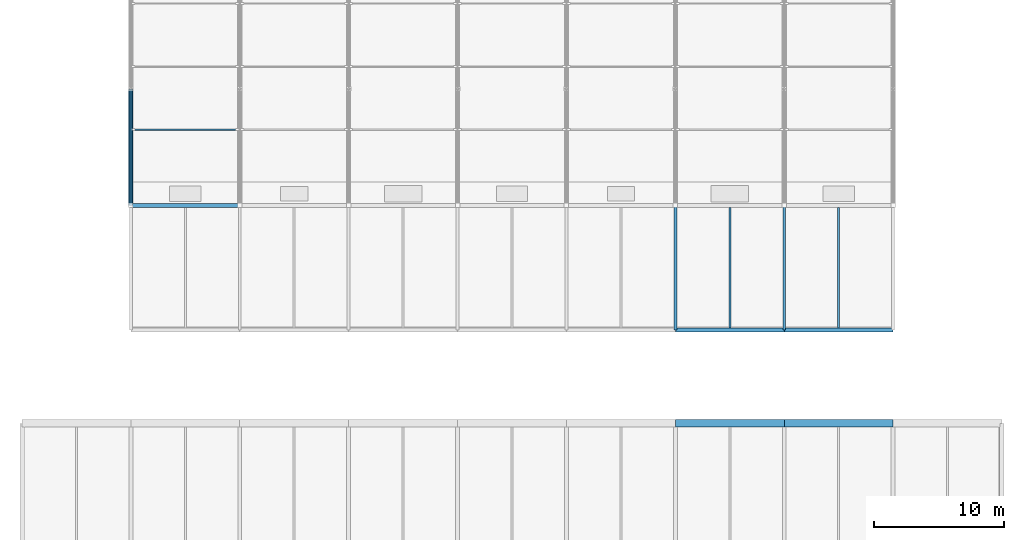
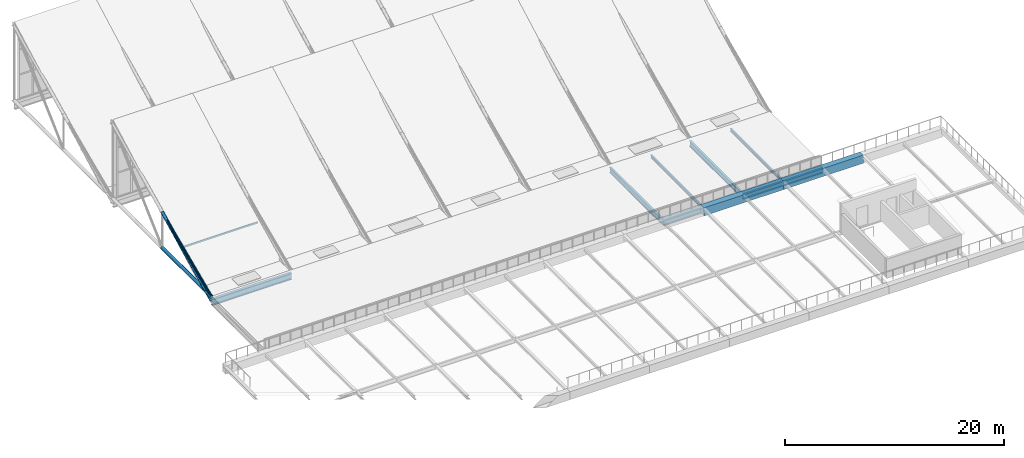
# One storey, part 2 of 38: 9 beams, 4 members.
"""IFC4 building model written with IfcOpenShell, lengths in metres."""

from ifc_helpers import new_model, si_unit, direction, frame, origin, origin_2d, place, context, subcontext, project, spatial, rectangle, hollow_rectangle, hollow_circle, i_section, extrude, material, material_profile, profile_set, type_object, element, save


model = new_model("IFC4")

# Units and contexts
model_context = context("Model", 3, precision=1e-05, world=origin(), true_north=direction((0.0, 1.0)))
body_context = subcontext(model_context, "Body", "Model", "MODEL_VIEW")
ifc_project = project(units=[si_unit("LENGTHUNIT", "METRE"), si_unit("AREAUNIT", "SQUARE_METRE"), si_unit("VOLUMEUNIT", "CUBIC_METRE"), si_unit("PLANEANGLEUNIT", "RADIAN"), si_unit("MASSUNIT", "GRAM", prefix="KILO")], contexts=[model_context])

# Site, building, storey
site_placement = place(None, origin())
site = spatial("IfcSite", under=ifc_project, at=site_placement, CompositionType="ELEMENT")
building_placement = place(site_placement, origin())
building = spatial("IfcBuilding", under=site, at=building_placement, Name="Veltarok Museum of Natural Sciences", CompositionType="ELEMENT")
storey_placement = place(building_placement, frame((0.0, 0.0, 31.199951171875)))
storey = spatial("IfcBuildingStorey", under=building, at=storey_placement, Name="RF", CompositionType="ELEMENT", Elevation=31.199951171875)

# Beams
ifc_material_1 = material(Name="Concrete C40/50", Category="concrete")
ifc_material_profile_1 = material_profile(ifc_material_1, rectangle(XDim=0.60009765625, YDim=0.89990234375, at=origin_2d()), Name="RC 600x900")
ifc_profile_set_1 = profile_set([ifc_material_profile_1], Name="Concrete C40/50")
beam_type_1 = type_object("IfcBeamType", Name="Exposed Cabinet Perimeter Spandrel RC 600x900", PredefinedType="SPANDREL", material=ifc_profile_set_1)
beam_1_placement = place(storey_placement, frame((82.0, 19.199951171875, -0.7099609375), z_axis=(1.0, 0.0, 0.0), x_axis=(0.0, 1.0, 0.0)))
element("IfcBeam", 1, at=beam_1_placement, inside=storey, type_object=beam_type_1, Name="Beam BM-SP01 RF 10-11/C", PredefinedType="SPANDREL", context=body_context, shape_type="SweptSolid", body=[
    extrude(rectangle(XDim=0.60009765625, YDim=0.89990234375, at=origin_2d()), origin(), (0.0, 0.0, 1.0), 8.39990234375),
])
beam_2_placement = place(storey_placement, frame((90.39990234375, 19.199951171875, -0.7099609375), z_axis=(1.0, 0.0, 0.0), x_axis=(0.0, 1.0, 0.0)))
element("IfcBeam", 2, at=beam_2_placement, inside=storey, type_object=beam_type_1, Name="Beam BM-SP01 RF 11-12/C", PredefinedType="SPANDREL", context=body_context, shape_type="SweptSolid", body=[
    extrude(rectangle(XDim=0.60009765625, YDim=0.89990234375, at=origin_2d()), origin(), (0.0, 0.0, 1.0), 8.400146484375),
])

# Member
ifc_material_2 = material(Name="Steel S355J2", Category="steel")
ifc_material_profile_2 = material_profile(ifc_material_2, hollow_rectangle(XDim=0.10009765625, YDim=0.179931640625, WallThickness=0.008056640625, at=origin_2d()), Name="RHS 180x100x8")
ifc_profile_set_2 = profile_set([ifc_material_profile_2], Name="Steel S355J2")
member_type_1 = type_object("IfcMemberType", Name="Heavy Valley Roof Purlin RHS 180x100x8", PredefinedType="PURLIN", material=ifc_profile_set_2)
member_1_placement = place(storey_placement, frame((40.179931640625, 41.85009765625, -3.950439453125), z_axis=(1.0, 0.0, 0.0), x_axis=(0.0, 1.0, 0.0)))
element("IfcMember", 3, at=member_1_placement, inside=storey, type_object=member_type_1, Name="Sawtooth Purlin 5-6 M1", PredefinedType="PURLIN", context=body_context, shape_type="SweptSolid", body=[
    extrude(hollow_rectangle(XDim=0.10009765625, YDim=0.179931640625, WallThickness=0.008056640625, at=origin_2d()), origin(), (0.0, 0.0, 1.0), 8.0400390625),
])

# Beams
ifc_material_profile_3 = material_profile(ifc_material_2, i_section(OverallWidth=0.300048828125, OverallDepth=0.699951171875, WebThickness=0.01708984375, FlangeThickness=0.031982421875, FilletRadius=0.027099609375, at=origin_2d()), Name="HEB 700")
ifc_profile_set_3 = profile_set([ifc_material_profile_3], Name="Steel S355J2")
beam_type_2 = type_object("IfcBeamType", Name="Long-Span Hall Girder HEB 700", PredefinedType="BEAM", material=ifc_profile_set_3)
beam_3_placement = place(storey_placement, frame((82.0, 26.39990234375, -6.389892578125), z_axis=(1.0, 0.0, 0.0), x_axis=(0.0, 1.0, 0.0)))
element("IfcBeam", 4, at=beam_3_placement, inside=storey, type_object=beam_type_2, Name="Sawtooth Valley Girder 10-11 Y=26.4", PredefinedType="BEAM", context=body_context, shape_type="SweptSolid", body=[
    extrude(i_section(OverallWidth=0.300048828125, OverallDepth=0.699951171875, WebThickness=0.01708984375, FlangeThickness=0.031982421875, FilletRadius=0.027099609375, at=origin_2d()), origin(), (0.0, 0.0, 1.0), 8.39990234375),
])
beam_4_placement = place(storey_placement, frame((90.39990234375, 26.39990234375, -6.389892578125), z_axis=(1.0, 0.0, 0.0), x_axis=(0.0, 1.0, 0.0)))
element("IfcBeam", 5, at=beam_4_placement, inside=storey, type_object=beam_type_2, Name="Sawtooth Valley Girder 11-12 Y=26.4", PredefinedType="BEAM", context=body_context, shape_type="SweptSolid", body=[
    extrude(i_section(OverallWidth=0.300048828125, OverallDepth=0.699951171875, WebThickness=0.01708984375, FlangeThickness=0.031982421875, FilletRadius=0.027099609375, at=origin_2d()), origin(), (0.0, 0.0, 1.0), 8.400146484375),
])
beam_5_placement = place(storey_placement, frame((40.0, 36.0, -6.389892578125), z_axis=(1.0, 0.0, 0.0), x_axis=(0.0, 1.0, 0.0)))
element("IfcBeam", 6, at=beam_5_placement, inside=storey, type_object=beam_type_2, Name="Sawtooth Valley Girder 5-6 Y=36.0", PredefinedType="BEAM", context=body_context, shape_type="SweptSolid", body=[
    extrude(i_section(OverallWidth=0.300048828125, OverallDepth=0.699951171875, WebThickness=0.01708984375, FlangeThickness=0.031982421875, FilletRadius=0.027099609375, at=origin_2d()), origin(), (0.0, 0.0, 1.0), 8.39990234375),
])
ifc_material_profile_4 = material_profile(ifc_material_2, i_section(OverallWidth=0.159912109375, OverallDepth=0.330078125, WebThickness=0.007568359375, FlangeThickness=0.011474609375, FilletRadius=0.01806640625, at=origin_2d()), Name="IPE 330")
ifc_profile_set_4 = profile_set([ifc_material_profile_4], Name="Steel S355J2")
beam_type_3 = type_object("IfcBeamType", Name="Medium-Bay Composite Joist IPE 330", PredefinedType="JOIST", material=ifc_profile_set_4)
for number, where, z_axis, x_axis, name in (
    (7, (86.199951171875, 26.548095703125, -6.204833984375), (0.0, 1.0, 0.0), (-1.0, 0.0, 0.0), "Sawtooth South Roof Joist 10-11/D-E"),
    (8, (94.60009765625, 26.548095703125, -6.204833984375), (0.0, 1.0, 0.0), (-1.0, 0.0, 0.0), "Sawtooth South Roof Joist 11-12/D-E"),
):
    element("IfcBeam", number, at=place(storey_placement, frame(where, z_axis=z_axis, x_axis=x_axis)), inside=storey, type_object=beam_type_3, Name=name, PredefinedType="JOIST", context=body_context, shape_type="SweptSolid", body=[
        extrude(i_section(OverallWidth=0.159912109375, OverallDepth=0.330078125, WebThickness=0.007568359375, FlangeThickness=0.011474609375, FilletRadius=0.01806640625, at=origin_2d()), origin(), (0.0, 0.0, 1.0), 9.303955078125),
    ])
ifc_material_profile_5 = material_profile(ifc_material_2, i_section(OverallWidth=0.219970703125, OverallDepth=0.60009765625, WebThickness=0.011962890625, FlangeThickness=0.01904296875, FilletRadius=0.02392578125, at=origin_2d()), Name="IPE 600")
ifc_profile_set_5 = profile_set([ifc_material_profile_5], Name="Steel S355J2")
beam_type_4 = type_object("IfcBeamType", Name="Primary Museum Girder IPE 600", PredefinedType="BEAM", material=ifc_profile_set_5)
for number, where, z_axis, x_axis, name in (
    (9, (82.0, 26.39990234375, -6.33984375), (0.0, 1.0, 0.0), (-1.0, 0.0, 0.0), "Sawtooth South Roof Girder 10/D-E"),
    (10, (90.39990234375, 26.39990234375, -6.33984375), (0.0, 1.0, 0.0), (-1.0, 0.0, 0.0), "Sawtooth South Roof Girder 11/D-E"),
):
    element("IfcBeam", number, at=place(storey_placement, frame(where, z_axis=z_axis, x_axis=x_axis)), inside=storey, type_object=beam_type_4, Name=name, PredefinedType="BEAM", context=body_context, shape_type="SweptSolid", body=[
        extrude(i_section(OverallWidth=0.219970703125, OverallDepth=0.60009765625, WebThickness=0.011962890625, FlangeThickness=0.01904296875, FilletRadius=0.02392578125, at=origin_2d()), origin(), (0.0, 0.0, 1.0), 9.60009765625),
    ])

# Members
ifc_material_3 = material(Name="Oxide-red painted Steel S355J2", Category="steel")
ifc_material_profile_6 = material_profile(ifc_material_3, hollow_circle(Radius=0.122314453125, WallThickness=0.012451171875, at=origin_2d()), Name="CHS 244.5x12.5")
ifc_profile_set_6 = profile_set([ifc_material_profile_6], Name="Oxide-red painted Steel S355J2")
member_type_2 = type_object("IfcMemberType", Name="Sawtooth End Diagonal CHS 244.5x12.5", PredefinedType="BRACE", material=ifc_profile_set_6)
member_2_placement = place(storey_placement, frame((40.0, 36.0, -5.800048828125), z_axis=(0.0, 0.915682381641, 0.401902694633), x_axis=(-1.0, 0.0, 0.0)))
element("IfcMember", 11, at=member_2_placement, inside=storey, type_object=member_type_2, Name="Roof Truss Diagonal 5 M1", PredefinedType="BRACE", context=body_context, shape_type="SweptSolid", body=[
    extrude(hollow_circle(Radius=0.122314453125, WallThickness=0.012451171875, at=origin_2d()), origin(), (0.0, 0.0, 1.0), 9.828857421875),
])
ifc_material_profile_7 = material_profile(ifc_material_3, hollow_circle(Radius=0.177734375, WallThickness=0.01611328125, at=origin_2d()), Name="CHS 355.6x16")
ifc_profile_set_7 = profile_set([ifc_material_profile_7], Name="Oxide-red painted Steel S355J2")
member_type_3 = type_object("IfcMemberType", Name="Sawtooth Heavy Chord CHS 355.6x16", PredefinedType="CHORD", material=ifc_profile_set_7)
member_3_placement = place(storey_placement, frame((40.0, 36.0, -5.800048828125), z_axis=(0.0, 1.0, 0.0), x_axis=(-1.0, 0.0, 0.0)))
element("IfcMember", 12, at=member_3_placement, inside=storey, type_object=member_type_3, Name="Roof Truss Bottom Chord 5 M1", PredefinedType="CHORD", context=body_context, shape_type="SweptSolid", body=[
    extrude(hollow_circle(Radius=0.177734375, WallThickness=0.01611328125, at=origin_2d()), origin(), (0.0, 0.0, 1.0), 9.0),
])
ifc_material_profile_8 = material_profile(ifc_material_3, hollow_circle(Radius=0.161865234375, WallThickness=0.01611328125, at=origin_2d()), Name="CHS 323.9x16")
ifc_profile_set_8 = profile_set([ifc_material_profile_8], Name="Oxide-red painted Steel S355J2")
member_type_4 = type_object("IfcMemberType", Name="Sawtooth Truss Chord CHS 323.9x16", PredefinedType="CHORD", material=ifc_profile_set_8)
member_4_placement = place(storey_placement, frame((40.0, 36.0, -6.25), z_axis=(0.0, 0.898378591281, 0.43922193334), x_axis=(-1.0, 0.0, 0.0)))
element("IfcMember", 13, at=member_4_placement, inside=storey, type_object=member_type_4, Name="Roof Truss Top Chord 5 M1", PredefinedType="CHORD", context=body_context, shape_type="SweptSolid", body=[
    extrude(hollow_circle(Radius=0.161865234375, WallThickness=0.01611328125, at=origin_2d()), origin(), (0.0, 0.0, 1.0), 10.01806640625),
])

save(model, "model.ifc")
